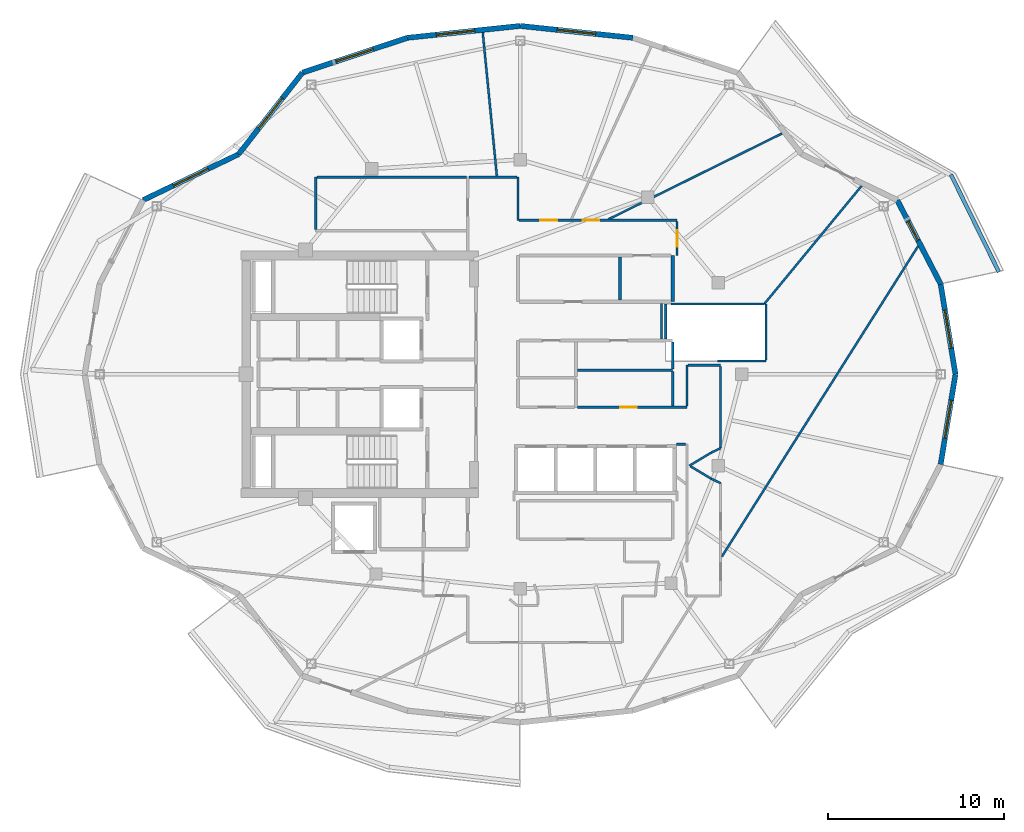
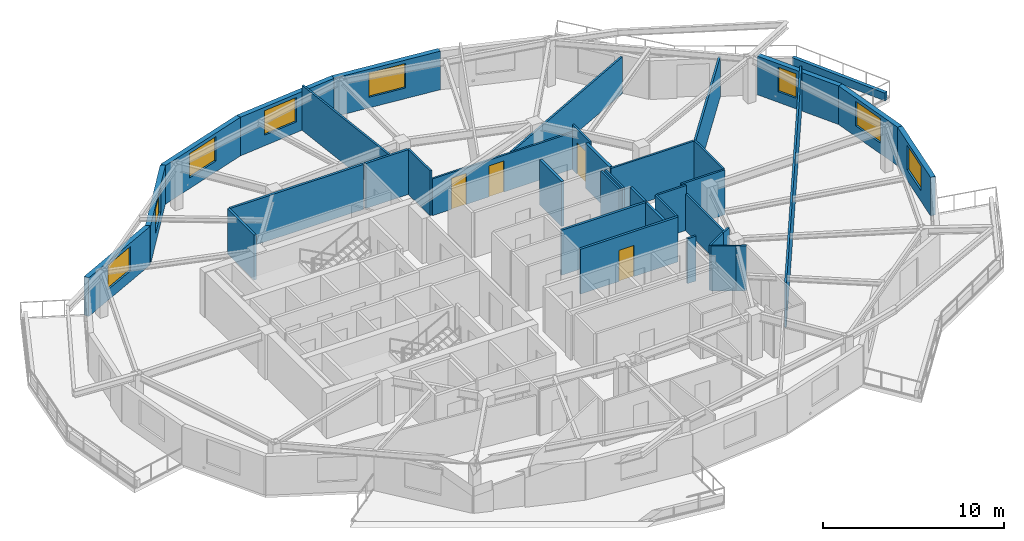
# One storey, part 6 of 10: 38 walls, 8 windows, 4 doors, 12 openings.
"""IFC4 building model written with IfcOpenShell, lengths in metres."""

from ifc_helpers import new_model, si_unit, direction, frame, frame_2d, origin, place, context, subcontext, project, spatial, rectangle, extrude, material, layer, layer_set, type_object, element, fill, save


model = new_model("IFC4")

# Units and contexts
model_context = context("Model", 3, precision=1e-05, world=origin(), true_north=direction((0.0, 1.0)))
body_context = subcontext(model_context, "Body", "Model", "MODEL_VIEW")
ifc_project = project(units=[si_unit("LENGTHUNIT", "METRE"), si_unit("AREAUNIT", "SQUARE_METRE"), si_unit("VOLUMEUNIT", "CUBIC_METRE"), si_unit("PLANEANGLEUNIT", "RADIAN"), si_unit("MASSUNIT", "GRAM", prefix="KILO")], contexts=[model_context])

# Site, building, storey
site_placement = place(None, origin())
site = spatial("IfcSite", under=ifc_project, at=site_placement, CompositionType="ELEMENT")
building_placement = place(site_placement, origin())
building = spatial("IfcBuilding", under=site, at=building_placement, Name="Kolvaren Gate Tower and Convention Centre", CompositionType="ELEMENT")
storey_placement = place(building_placement, frame((0.0, 0.0, 203.0)))
storey = spatial("IfcBuildingStorey", under=building, at=storey_placement, Name="L53", CompositionType="ELEMENT", Elevation=203.0)

# Walls
ifc_material_1 = material(Name="Autoclaved Aerated Masonry Blockwork Class 4 (4.0 MPa)", Category="masonry")
ifc_layer_1 = layer(ifc_material_1, 0.179931640625)
ifc_layer_set_1 = layer_set([ifc_layer_1], Name="Autoclaved Aerated Masonry Blockwork Class 4 (4.0 MPa)")
wall_type_1 = type_object("IfcWallType", Name="ARCH-WL-COMP-180", PredefinedType="SOLIDWALL", material=ifc_layer_set_1)
wall_1_placement = place(storey_placement, frame((38.800048828125, 31.1201171875, 0.0), z_axis=(0.0, 0.0, 1.0), x_axis=(0.0, 1.0, 0.0)))
element("IfcWall", 1, at=wall_1_placement, inside=storey, type_object=wall_type_1, Name="Interior Partition WL-L53-INT-028", PredefinedType="SOLIDWALL", context=body_context, shape_type="SweptSolid", body=[
    extrude(rectangle(XDim=2.6298828125, YDim=0.179931640625, at=frame_2d((1.31494140625, 0.0))), origin(), (0.0, 0.0, 1.0), 3.030029296875),
])
wall_2_placement = place(storey_placement, frame((35.800048828125, 31.2119140625, 0.0), z_axis=(0.0, 0.0, 1.0), x_axis=(0.0, 1.0, 0.0)))
element("IfcWall", 2, at=wall_2_placement, inside=storey, type_object=wall_type_1, Name="Interior Partition WL-L53-INT-031", PredefinedType="SOLIDWALL", context=body_context, shape_type="SweptSolid", body=[
    extrude(rectangle(XDim=2.446044921875, YDim=0.179931640625, at=frame_2d((1.22314453125, 0.0))), origin(), (0.0, 0.0, 1.0), 3.030029296875),
])
ifc_material_2 = material(Name="Fire-Rated Acoustic Gypsum Stud Partition", Category="gypsum")
ifc_layer_2 = layer(ifc_material_2, 0.1201171875)
ifc_layer_set_2 = layer_set([ifc_layer_2], Name="Fire-Rated Acoustic Gypsum Stud Partition")
wall_type_2 = type_object("IfcWallType", Name="ARCH-WL-PART-120", PredefinedType="PARTITIONING", material=ifc_layer_set_2)
wall_3_placement = place(storey_placement, frame((30.0, 35.75, 0.0), z_axis=(0.0, 0.0, 1.0), x_axis=(0.0, 1.0, 0.0)))
element("IfcWall", 3, at=wall_3_placement, inside=storey, type_object=wall_type_2, Name="Interior Partition WL-L53-INT-021", PredefinedType="PARTITIONING", context=body_context, shape_type="SweptSolid", body=[
    extrude(rectangle(XDim=2.449951171875, YDim=0.1201171875, at=frame_2d((1.22509765625, 0.0))), origin(), (0.0, 0.0, 1.0), 3.030029296875),
])

# Wall, openings, doors
wall_4_placement = place(storey_placement, frame((30.06201171875, 35.75, 0.0), z_axis=(0.0, 0.0, 1.0), x_axis=(1.0, 0.0, 0.0)))
wall_4 = element("IfcWall", 4, at=wall_4_placement, inside=storey, type_object=wall_type_2, Name="Interior Partition WL-L53-INT-037", PredefinedType="PARTITIONING", context=body_context, shape_type="SweptSolid", body=[
    extrude(rectangle(XDim=8.988037109375, YDim=0.1201171875, at=frame_2d((4.494140625, 0.0))), origin(), (0.0, 0.0, 1.0), 2.47802734375),
])
opening_1_placement = place(wall_4_placement, frame((3.6220703125, 0.0, 0.0)))
opening_1 = element("IfcOpeningElement", 5, at=opening_1_placement, cuts=wall_4, Name="Opening DR-01", PredefinedType="OPENING", context=body_context, shape_type="SweptSolid", body=[
    extrude(rectangle(XDim=0.949951171875, YDim=2.10009765625, at=frame_2d((0.47509765625, 1.050048828125))), frame((0.0, 0.070068359375, 0.0), z_axis=(0.0, -1.0, 0.0), x_axis=(1.0, 0.0, 0.0)), (0.0, 0.0, 1.0), 0.14013671875),
])
opening_2_placement = place(wall_4_placement, frame((1.2158203125, 0.0, 0.0)))
opening_2 = element("IfcOpeningElement", 6, at=opening_2_placement, cuts=wall_4, Name="Opening DR-01", PredefinedType="OPENING", context=body_context, shape_type="SweptSolid", body=[
    extrude(rectangle(XDim=0.949951171875, YDim=2.10009765625, at=frame_2d((0.47509765625, 1.050048828125))), frame((0.0, 0.070068359375, 0.0), z_axis=(0.0, -1.0, 0.0), x_axis=(1.0, 0.0, 0.0)), (0.0, 0.0, 1.0), 0.14013671875),
])
ifc_material_3 = material(Name="Painted Architectural Steelwork ASTM A500 Grade C 345 MPa", Category="steel")
door_type = type_object("IfcDoorType", Name="ARCH-DR-RISER-950", OperationType="SINGLE_SWING_RIGHT", PredefinedType="DOOR", material=ifc_material_3)
door_1_placement = place(opening_1_placement, origin())
door_1 = element("IfcDoor", 7, at=door_1_placement, inside=storey, type_object=door_type, Name="Resident Private Study Door", OperationType="SINGLE_SWING_RIGHT", OverallHeight=2.10009765625, OverallWidth=0.949951171875, PredefinedType="DOOR", context=body_context, shape_type="SweptSolid", body=[
    extrude(rectangle(XDim=0.949951171875, YDim=2.10009765625, at=frame_2d((0.47509765625, 1.050048828125))), frame((0.0, 0.02490234375, 0.0), z_axis=(0.0, -1.0, 0.0), x_axis=(1.0, 0.0, 0.0)), (0.0, 0.0, 1.0), 0.050048828125),
])
fill(opening_1, door_1)
door_2_placement = place(opening_2_placement, origin())
door_2 = element("IfcDoor", 8, at=door_2_placement, inside=storey, type_object=door_type, Name="Resident Quiet Study Office Door", OperationType="SINGLE_SWING_LEFT", OverallHeight=2.10009765625, OverallWidth=0.949951171875, PredefinedType="DOOR", context=body_context, shape_type="SweptSolid", body=[
    extrude(rectangle(XDim=0.949951171875, YDim=2.10009765625, at=frame_2d((0.47509765625, 1.050048828125))), frame((0.0, 0.02490234375, 0.0), z_axis=(0.0, -1.0, 0.0), x_axis=(1.0, 0.0, 0.0)), (0.0, 0.0, 1.0), 0.050048828125),
])
fill(opening_2, door_2)

# Wall, opening, door
wall_5_placement = place(storey_placement, frame((39.050048828125, 33.75, 0.0), z_axis=(0.0, 0.0, 1.0), x_axis=(0.0, 1.0, 0.0)))
wall_5 = element("IfcWall", 9, at=wall_5_placement, inside=storey, type_object=wall_type_2, Name="Interior Partition WL-L53-INT-039", PredefinedType="PARTITIONING", context=body_context, shape_type="SweptSolid", body=[
    extrude(rectangle(XDim=1.93798828125, YDim=0.1201171875, at=frame_2d((0.968994140625, 0.0))), origin(), (0.0, 0.0, 1.0), 3.030029296875),
])
opening_3_placement = place(wall_5_placement, frame((0.493896484375, 0.0, 0.0)))
opening_3 = element("IfcOpeningElement", 10, at=opening_3_placement, cuts=wall_5, Name="Opening DR-01", PredefinedType="OPENING", context=body_context, shape_type="SweptSolid", body=[
    extrude(rectangle(XDim=0.949951171875, YDim=2.10009765625, at=frame_2d((0.47509765625, 1.050048828125))), frame((0.0, 0.070068359375, 0.0), z_axis=(0.0, -1.0, 0.0), x_axis=(1.0, 0.0, 0.0)), (0.0, 0.0, 1.0), 0.14013671875),
])
door_3_placement = place(opening_3_placement, origin())
door_3 = element("IfcDoor", 11, at=door_3_placement, inside=storey, type_object=door_type, Name="Resident Quiet Study Office Door", OperationType="SINGLE_SWING_LEFT", OverallHeight=2.10009765625, OverallWidth=0.949951171875, PredefinedType="DOOR", context=body_context, shape_type="SweptSolid", body=[
    extrude(rectangle(XDim=0.949951171875, YDim=2.10009765625, at=frame_2d((0.47509765625, 1.050048828125))), frame((0.0, 0.02490234375, 0.0), z_axis=(0.0, -1.0, 0.0), x_axis=(1.0, 0.0, 0.0)), (0.0, 0.0, 1.0), 0.050048828125),
])
fill(opening_3, door_3)

# Walls
wall_6_placement = place(storey_placement, frame((38.159912109375, 28.9970703125, 0.0), z_axis=(0.0, 0.0, 1.0), x_axis=(0.0, 1.0, 0.0)))
element("IfcWall", 12, at=wall_6_placement, inside=storey, type_object=wall_type_2, Name="Interior Partition WL-L53-INT-040", PredefinedType="PARTITIONING", context=body_context, shape_type="SweptSolid", body=[
    extrude(rectangle(XDim=2.031005859375, YDim=0.1201171875, at=frame_2d((1.015625, 0.0))), origin(), (0.0, 0.0, 1.0), 3.030029296875),
])
wall_7_placement = place(storey_placement, frame((39.60009765625, 25.197021484375, 0.0), z_axis=(0.0, 0.0, 1.0), x_axis=(0.0, 1.0, 0.0)))
element("IfcWall", 13, at=wall_7_placement, inside=storey, type_object=wall_type_2, Name="Interior Partition WL-L53-INT-042", PredefinedType="PARTITIONING", context=body_context, shape_type="SweptSolid", body=[
    extrude(rectangle(XDim=2.31298828125, YDim=0.1201171875, at=frame_2d((1.156494140625, 0.0))), origin(), (0.0, 0.0, 1.0), 3.030029296875),
])
wall_8_placement = place(storey_placement, frame((39.662109375, 27.510009765625, 0.0), z_axis=(0.0, 0.0, 1.0), x_axis=(1.0, 0.0, 0.0)))
element("IfcWall", 14, at=wall_8_placement, inside=storey, type_object=wall_type_2, Name="Interior Partition WL-L53-INT-043", PredefinedType="PARTITIONING", context=body_context, shape_type="SweptSolid", body=[
    extrude(rectangle(XDim=1.85791015625, YDim=0.1201171875, at=frame_2d((0.928955078125, 0.0))), origin(), (0.0, 0.0, 1.0), 3.030029296875),
])
wall_9_placement = place(storey_placement, frame((41.52001953125, 22.7939453125, 0.0), z_axis=(0.0, 0.0, 1.0), x_axis=(0.0, 1.0, 0.0)))
element("IfcWall", 15, at=wall_9_placement, inside=storey, type_object=wall_type_2, Name="Interior Partition WL-L53-INT-045", PredefinedType="PARTITIONING", context=body_context, shape_type="SweptSolid", body=[
    extrude(rectangle(XDim=4.654052734375, YDim=0.1201171875, at=frame_2d((2.3271484375, 0.0))), origin(), (0.0, 0.0, 1.0), 2.47802734375),
])
wall_10_placement = place(storey_placement, frame((40.986083984375, 22.541015625, 0.0), z_axis=(0.0, 0.0, 1.0), x_axis=(0.903729424576, 0.428104107847, 0.0)))
element("IfcWall", 16, at=wall_10_placement, inside=storey, type_object=wall_type_2, Name="Interior Partition WL-L53-INT-046", PredefinedType="PARTITIONING", context=body_context, shape_type="SweptSolid", body=[
    extrude(rectangle(XDim=0.5908203125, YDim=0.1201171875, at=frame_2d((0.29541015625, 0.0))), origin(), (0.0, 0.0, 1.0), 3.030029296875),
])
wall_11_placement = place(storey_placement, frame((39.75, 21.800048828125, 0.0), z_axis=(0.0, 0.0, 1.0), x_axis=(0.857702120906, 0.514146935996, 0.0)))
element("IfcWall", 17, at=wall_11_placement, inside=storey, type_object=wall_type_2, Name="Interior Partition WL-L53-INT-047", PredefinedType="PARTITIONING", context=body_context, shape_type="SweptSolid", body=[
    extrude(rectangle(XDim=1.441162109375, YDim=0.1201171875, at=frame_2d((0.720703125, 0.0))), origin(), (0.0, 0.0, 1.0), 3.030029296875),
])
wall_12_placement = place(storey_placement, frame((39.810302734375, 21.763916015625, 0.0), z_axis=(0.0, 0.0, 1.0), x_axis=(0.858011245414, -0.513630901273, 0.0)))
element("IfcWall", 18, at=wall_12_placement, inside=storey, type_object=wall_type_2, Name="Interior Partition WL-L53-INT-048", PredefinedType="PARTITIONING", context=body_context, shape_type="SweptSolid", body=[
    extrude(rectangle(XDim=1.370361328125, YDim=0.1201171875, at=frame_2d((0.68505859375, 0.0))), origin(), (0.0, 0.0, 1.0), 3.030029296875),
])
wall_13_placement = place(storey_placement, frame((40.986083984375, 21.06005859375, 0.0), z_axis=(0.0, 0.0, 1.0), x_axis=(0.90356951601, -0.428441512621, 0.0)))
element("IfcWall", 19, at=wall_13_placement, inside=storey, type_object=wall_type_2, Name="Interior Partition WL-L53-INT-049", PredefinedType="PARTITIONING", context=body_context, shape_type="SweptSolid", body=[
    extrude(rectangle(XDim=0.5908203125, YDim=0.1201171875, at=frame_2d((0.29541015625, 0.0))), origin(), (0.0, 0.0, 1.0), 3.030029296875),
])
wall_14_placement = place(storey_placement, frame((39.0, 23.02001953125, 0.0), z_axis=(0.0, 0.0, 1.0), x_axis=(1.0, 0.0, 0.0)))
element("IfcWall", 20, at=wall_14_placement, inside=storey, type_object=wall_type_2, Name="Interior Partition WL-L53-INT-055", PredefinedType="PARTITIONING", context=body_context, shape_type="SweptSolid", body=[
    extrude(rectangle(XDim=0.5380859375, YDim=0.1201171875, at=frame_2d((0.26904296875, 0.0))), origin(), (0.0, 0.0, 1.0), 3.030029296875),
])
wall_15_placement = place(storey_placement, frame((28.000244140625, 46.42333984375, 0.0), z_axis=(0.0, 0.0, 1.0), x_axis=(0.097888269922, -0.995197410875, 0.0)))
element("IfcWall", 21, at=wall_15_placement, inside=storey, type_object=wall_type_2, Name="Interior Partition WL-L53-INT-070", PredefinedType="PARTITIONING", context=body_context, shape_type="SweptSolid", body=[
    extrude(rectangle(XDim=8.185546875, YDim=0.1201171875, at=frame_2d((4.0927734375, 0.0))), origin(), (0.0, 0.0, 1.0), 3.030029296875),
])
wall_16_placement = place(storey_placement, frame((41.58203125, 16.617431640625, 0.0), z_axis=(0.0, 0.0, 1.0), x_axis=(0.534374121444, 0.845248069108, 0.0)))
element("IfcWall", 22, at=wall_16_placement, inside=storey, type_object=wall_type_2, Name="Interior Partition WL-L53-INT-074", PredefinedType="PARTITIONING", context=body_context, shape_type="SweptSolid", body=[
    extrude(rectangle(XDim=20.892333984375, YDim=0.1201171875, at=frame_2d((10.4462890625, 0.0))), origin(), (0.0, 0.0, 1.0), 3.030029296875),
])
wall_17_placement = place(storey_placement, frame((41.3310546875, 27.75, 0.0), z_axis=(0.0, 0.0, 1.0), x_axis=(1.0, 0.0, 0.0)))
element("IfcWall", 23, at=wall_17_placement, inside=storey, type_object=wall_type_2, Name="Interior Partition WL-L53-INT-075", PredefinedType="PARTITIONING", context=body_context, shape_type="SweptSolid", body=[
    extrude(rectangle(XDim=2.76904296875, YDim=0.1201171875, at=frame_2d((1.384521484375, 0.0))), origin(), (0.0, 0.0, 1.0), 3.030029296875),
])
wall_18_placement = place(storey_placement, frame((44.10009765625, 27.81201171875, 0.0), z_axis=(0.0, 0.0, 1.0), x_axis=(0.0, 1.0, 0.0)))
element("IfcWall", 24, at=wall_18_placement, inside=storey, type_object=wall_type_2, Name="Interior Partition WL-L53-INT-076", PredefinedType="PARTITIONING", context=body_context, shape_type="SweptSolid", body=[
    extrude(rectangle(XDim=3.18798828125, YDim=0.1201171875, at=frame_2d((1.593994140625, 0.0))), origin(), (0.0, 0.0, 1.0), 3.030029296875),
])
wall_19_placement = place(storey_placement, frame((44.010009765625, 31.0, 0.0), z_axis=(0.0, 0.0, 1.0), x_axis=(0.635986973411, 0.771699792439, 0.0)))
element("IfcWall", 25, at=wall_19_placement, inside=storey, type_object=wall_type_2, Name="Interior Partition WL-L53-INT-077", PredefinedType="PARTITIONING", context=body_context, shape_type="SweptSolid", body=[
    extrude(rectangle(XDim=8.68701171875, YDim=0.1201171875, at=frame_2d((4.343505859375, 0.0))), origin(), (0.0, 0.0, 1.0), 2.7119140625),
])
wall_20_placement = place(storey_placement, frame((38.7080078125, 31.0, 0.0), z_axis=(0.0, 0.0, 1.0), x_axis=(1.0, 0.0, 0.0)))
element("IfcWall", 26, at=wall_20_placement, inside=storey, type_object=wall_type_2, Name="Interior Partition WL-L53-INT-078", PredefinedType="PARTITIONING", context=body_context, shape_type="SweptSolid", body=[
    extrude(rectangle(XDim=5.302001953125, YDim=0.1201171875, at=frame_2d((2.65087890625, 0.0))), origin(), (0.0, 0.0, 1.0), 3.030029296875),
])
wall_21_placement = place(storey_placement, frame((38.39990234375, 28.9970703125, 0.0), z_axis=(0.0, 0.0, 1.0), x_axis=(0.0, 1.0, 0.0)))
element("IfcWall", 27, at=wall_21_placement, inside=storey, type_object=wall_type_2, Name="Interior Partition WL-L53-INT-079", PredefinedType="PARTITIONING", context=body_context, shape_type="SweptSolid", body=[
    extrude(rectangle(XDim=2.0029296875, YDim=0.1201171875, at=frame_2d((1.00146484375, 0.0))), origin(), (0.0, 0.0, 1.0), 3.030029296875),
])
wall_22_placement = place(storey_placement, frame((35.157470703125, 35.81201171875, 0.0), z_axis=(0.0, 0.0, 1.0), x_axis=(0.896376577458, 0.443293391992, 0.0)))
element("IfcWall", 28, at=wall_22_placement, inside=storey, type_object=wall_type_2, Name="Interior Partition WL-L53-INT-080", PredefinedType="PARTITIONING", context=body_context, shape_type="SweptSolid", body=[
    extrude(rectangle(XDim=10.997802734375, YDim=0.1201171875, at=frame_2d((5.4990234375, 0.0))), origin(), (0.0, 0.0, 1.0), 2.47802734375),
])
ifc_material_4 = material(Name="Piedmont Cream Honed Limestone Cladding", Category="masonry")
ifc_layer_3 = layer(ifc_material_4, 0.219970703125)
ifc_layer_set_3 = layer_set([ifc_layer_3], Name="Piedmont Cream Honed Limestone Cladding")
wall_type_3 = type_object("IfcWallType", Name="ARCH-WL-PLANTER-220", PredefinedType="PARAPET", material=ifc_layer_set_3)
wall_23_placement = place(storey_placement, frame((54.615966796875, 38.3466796875, 0.0), z_axis=(0.0, 0.0, 1.0), x_axis=(0.441640961804, -0.897191875162, 0.0)))
element("IfcWall", 29, at=wall_23_placement, inside=storey, type_object=wall_type_3, Name="Vertical-Forest Balcony Stone Planter Kerb PK-L53-1.1", PredefinedType="PARAPET", context=body_context, shape_type="SweptSolid", body=[
    extrude(rectangle(XDim=6.17822265625, YDim=0.219970703125, at=frame_2d((3.089111328125, 0.0))), origin(), (0.0, 0.0, 1.0), 0.52001953125),
])

# Wall, opening, window
ifc_layer_4 = layer(ifc_material_4, 0.300048828125)
ifc_layer_set_4 = layer_set([ifc_layer_4], Name="Piedmont Cream Honed Limestone Cladding")
wall_type_4 = type_object("IfcWallType", Name="ARCH-WL-STONE-300", PredefinedType="SOLIDWALL", material=ifc_layer_set_4)
wall_24_placement = place(storey_placement, frame((54.03173828125, 32.12451171875, 0.0), z_axis=(0.0, 0.0, 1.0), x_axis=(0.16237087798, -0.986729799886, 0.0)))
wall_24 = element("IfcWall", 30, at=wall_24_placement, inside=storey, type_object=wall_type_4, Name="Tower L53 Honed Stone Spandrel Wall EW-00", PredefinedType="SOLIDWALL", context=body_context, shape_type="SweptSolid", body=[
    extrude(rectangle(XDim=5.193359375, YDim=0.300048828125, at=frame_2d((2.5966796875, 0.0))), origin(), (0.0, 0.0, 1.0), 2.60498046875),
])
opening_4_placement = place(wall_24_placement, frame((1.4970703125, 0.0, 0.719970703125)))
opening_4 = element("IfcOpeningElement", 31, at=opening_4_placement, cuts=wall_24, Name="Opening W-03", PredefinedType="OPENING", context=body_context, shape_type="SweptSolid", body=[
    extrude(rectangle(XDim=2.199951171875, YDim=1.64990234375, at=frame_2d((1.10009765625, 0.824951171875))), frame((0.0, 0.159912109375, 0.0), z_axis=(0.0, -1.0, 0.0), x_axis=(1.0, 0.0, 0.0)), (0.0, 0.0, 1.0), 0.320068359375),
])
ifc_material_5 = material(Name="Low-E Triple Insulated Glazing Unit 44 mm", Category="glass")
window_type_1 = type_object("IfcWindowType", Name="ARCH-WN-RES-2200", PartitioningType="SINGLE_PANEL", PredefinedType="WINDOW", material=ifc_material_5)
window_1_placement = place(opening_4_placement, origin())
window_1 = element("IfcWindow", 32, at=window_1_placement, inside=storey, type_object=window_type_1, Name="Tower L53 Punched Stone Facade Window W-00", OverallHeight=1.64990234375, OverallWidth=2.199951171875, PartitioningType="SINGLE_PANEL", PredefinedType="WINDOW", context=body_context, shape_type="SweptSolid", body=[
    extrude(rectangle(XDim=2.199951171875, YDim=1.64990234375, at=frame_2d((1.10009765625, 0.824951171875))), frame((0.0, 0.030029296875, 0.0), z_axis=(0.0, -1.0, 0.0), x_axis=(1.0, 0.0, 0.0)), (0.0, 0.0, 1.0), 0.06005859375),
])
fill(opening_4, window_1)

wall_25_placement = place(storey_placement, frame((51.55908203125, 36.89990234375, 0.0), z_axis=(0.0, 0.0, 1.0), x_axis=(0.459808219482, -0.888018243786, 0.0)))
wall_25 = element("IfcWall", 33, at=wall_25_placement, inside=storey, type_object=wall_type_4, Name="Tower L53 Honed Stone Spandrel Wall EW-01", PredefinedType="SOLIDWALL", context=body_context, shape_type="SweptSolid", body=[
    extrude(rectangle(XDim=5.377685546875, YDim=0.300048828125, at=frame_2d((2.68896484375, 0.0))), origin(), (0.0, 0.0, 1.0), 2.60498046875),
])
opening_5_placement = place(wall_25_placement, frame((1.3798828125, 0.0, 0.719970703125)))
opening_5 = element("IfcOpeningElement", 34, at=opening_5_placement, cuts=wall_25, Name="Opening W-04", PredefinedType="OPENING", context=body_context, shape_type="SweptSolid", body=[
    extrude(rectangle(XDim=1.199951171875, YDim=1.64990234375, at=frame_2d((0.60009765625, 0.824951171875))), frame((0.0, 0.159912109375, 0.0), z_axis=(0.0, -1.0, 0.0), x_axis=(1.0, 0.0, 0.0)), (0.0, 0.0, 1.0), 0.320068359375),
])
window_type_2 = type_object("IfcWindowType", Name="ARCH-WN-NARROW-1200", PartitioningType="SINGLE_PANEL", PredefinedType="WINDOW", material=ifc_material_5)
window_2_placement = place(opening_5_placement, origin())
window_2 = element("IfcWindow", 35, at=window_2_placement, inside=storey, type_object=window_type_2, Name="Tower L53 Punched Stone Facade Window W-01", OverallHeight=1.64990234375, OverallWidth=1.199951171875, PartitioningType="SINGLE_PANEL", PredefinedType="WINDOW", context=body_context, shape_type="SweptSolid", body=[
    extrude(rectangle(XDim=1.199951171875, YDim=1.64990234375, at=frame_2d((0.60009765625, 0.824951171875))), frame((0.0, 0.030029296875, 0.0), z_axis=(0.0, -1.0, 0.0), x_axis=(1.0, 0.0, 0.0)), (0.0, 0.0, 1.0), 0.06005859375),
])
fill(opening_5, window_2)

wall_26_placement = place(storey_placement, frame((30.125, 46.800048828125, 0.0), z_axis=(0.0, 0.0, 1.0), x_axis=(0.994497142298, -0.104763705363, 0.0)))
wall_26 = element("IfcWall", 36, at=wall_26_placement, inside=storey, type_object=wall_type_4, Name="Tower L53 Honed Stone Spandrel Wall EW-05", PredefinedType="SOLIDWALL", context=body_context, shape_type="SweptSolid", body=[
    extrude(rectangle(XDim=6.441162109375, YDim=0.300048828125, at=frame_2d((3.220703125, 0.0))), origin(), (0.0, 0.0, 1.0), 2.60498046875),
])
opening_6_placement = place(wall_26_placement, frame((2.12109375, 0.0, 0.719970703125)))
opening_6 = element("IfcOpeningElement", 37, at=opening_6_placement, cuts=wall_26, Name="Opening W-03", PredefinedType="OPENING", context=body_context, shape_type="SweptSolid", body=[
    extrude(rectangle(XDim=2.199951171875, YDim=1.64990234375, at=frame_2d((1.10009765625, 0.824951171875))), frame((0.0, 0.159912109375, 0.0), z_axis=(0.0, -1.0, 0.0), x_axis=(1.0, 0.0, 0.0)), (0.0, 0.0, 1.0), 0.320068359375),
])
window_3_placement = place(opening_6_placement, origin())
window_3 = element("IfcWindow", 38, at=window_3_placement, inside=storey, type_object=window_type_1, Name="Tower L53 Punched Stone Facade Window W-05", OverallHeight=1.64990234375, OverallWidth=2.199951171875, PartitioningType="SINGLE_PANEL", PredefinedType="WINDOW", context=body_context, shape_type="SweptSolid", body=[
    extrude(rectangle(XDim=2.199951171875, YDim=1.64990234375, at=frame_2d((1.10009765625, 0.824951171875))), frame((0.0, 0.030029296875, 0.0), z_axis=(0.0, -1.0, 0.0), x_axis=(1.0, 0.0, 0.0)), (0.0, 0.0, 1.0), 0.06005859375),
])
fill(opening_6, window_3)

wall_27_placement = place(storey_placement, frame((23.71923828125, 46.125244140625, 0.0), z_axis=(0.0, 0.0, 1.0), x_axis=(0.994497142298, 0.104763705363, 0.0)))
wall_27 = element("IfcWall", 39, at=wall_27_placement, inside=storey, type_object=wall_type_4, Name="Tower L53 Honed Stone Spandrel Wall EW-06", PredefinedType="SOLIDWALL", context=body_context, shape_type="SweptSolid", body=[
    extrude(rectangle(XDim=6.441162109375, YDim=0.300048828125, at=frame_2d((3.220703125, 0.0))), origin(), (0.0, 0.0, 1.0), 2.60498046875),
])
opening_7_placement = place(wall_27_placement, frame((1.64990234375, 0.0, 0.719970703125)))
opening_7 = element("IfcOpeningElement", 40, at=opening_7_placement, cuts=wall_27, Name="Opening W-03", PredefinedType="OPENING", context=body_context, shape_type="SweptSolid", body=[
    extrude(rectangle(XDim=2.199951171875, YDim=1.64990234375, at=frame_2d((1.10009765625, 0.824951171875))), frame((0.0, 0.159912109375, 0.0), z_axis=(0.0, -1.0, 0.0), x_axis=(1.0, 0.0, 0.0)), (0.0, 0.0, 1.0), 0.320068359375),
])
window_4_placement = place(opening_7_placement, origin())
window_4 = element("IfcWindow", 41, at=window_4_placement, inside=storey, type_object=window_type_1, Name="Tower L53 Punched Stone Facade Window W-06", OverallHeight=1.64990234375, OverallWidth=2.199951171875, PartitioningType="SINGLE_PANEL", PredefinedType="WINDOW", context=body_context, shape_type="SweptSolid", body=[
    extrude(rectangle(XDim=2.199951171875, YDim=1.64990234375, at=frame_2d((1.10009765625, 0.824951171875))), frame((0.0, 0.030029296875, 0.0), z_axis=(0.0, -1.0, 0.0), x_axis=(1.0, 0.0, 0.0)), (0.0, 0.0, 1.0), 0.06005859375),
])
fill(opening_7, window_4)

wall_28_placement = place(storey_placement, frame((17.75, 44.147216796875, 0.0), z_axis=(0.0, 0.0, 1.0), x_axis=(0.949240877604, 0.314550085495, 0.0)))
wall_28 = element("IfcWall", 42, at=wall_28_placement, inside=storey, type_object=wall_type_4, Name="Tower L53 Honed Stone Spandrel Wall EW-07", PredefinedType="SOLIDWALL", context=body_context, shape_type="SweptSolid", body=[
    extrude(rectangle(XDim=6.288330078125, YDim=0.300048828125, at=frame_2d((3.14404296875, 0.0))), origin(), (0.0, 0.0, 1.0), 2.60498046875),
])
opening_8_placement = place(wall_28_placement, frame((2.0439453125, 0.0, 0.719970703125)))
opening_8 = element("IfcOpeningElement", 43, at=opening_8_placement, cuts=wall_28, Name="Opening W-03", PredefinedType="OPENING", context=body_context, shape_type="SweptSolid", body=[
    extrude(rectangle(XDim=2.199951171875, YDim=1.64990234375, at=frame_2d((1.10009765625, 0.824951171875))), frame((0.0, 0.159912109375, 0.0), z_axis=(0.0, -1.0, 0.0), x_axis=(1.0, 0.0, 0.0)), (0.0, 0.0, 1.0), 0.320068359375),
])
window_5_placement = place(opening_8_placement, origin())
window_5 = element("IfcWindow", 44, at=window_5_placement, inside=storey, type_object=window_type_1, Name="Tower L53 Punched Stone Facade Window W-07", OverallHeight=1.64990234375, OverallWidth=2.199951171875, PartitioningType="SINGLE_PANEL", PredefinedType="WINDOW", context=body_context, shape_type="SweptSolid", body=[
    extrude(rectangle(XDim=2.199951171875, YDim=1.64990234375, at=frame_2d((1.10009765625, 0.824951171875))), frame((0.0, 0.030029296875, 0.0), z_axis=(0.0, -1.0, 0.0), x_axis=(1.0, 0.0, 0.0)), (0.0, 0.0, 1.0), 0.06005859375),
])
fill(opening_8, window_5)

wall_29_placement = place(storey_placement, frame((14.117431640625, 39.50732421875, 0.0), z_axis=(0.0, 0.0, 1.0), x_axis=(0.616450126935, 0.787393955401, 0.0)))
wall_29 = element("IfcWall", 45, at=wall_29_placement, inside=storey, type_object=wall_type_4, Name="Tower L53 Honed Stone Spandrel Wall EW-08", PredefinedType="SOLIDWALL", context=body_context, shape_type="SweptSolid", body=[
    extrude(rectangle(XDim=5.892822265625, YDim=0.300048828125, at=frame_2d((2.9462890625, 0.0))), origin(), (0.0, 0.0, 1.0), 2.60498046875),
])
opening_9_placement = place(wall_29_placement, frame((1.845947265625, 0.0, 0.719970703125)))
opening_9 = element("IfcOpeningElement", 46, at=opening_9_placement, cuts=wall_29, Name="Opening W-03", PredefinedType="OPENING", context=body_context, shape_type="SweptSolid", body=[
    extrude(rectangle(XDim=2.199951171875, YDim=1.64990234375, at=frame_2d((1.10009765625, 0.824951171875))), frame((0.0, 0.159912109375, 0.0), z_axis=(0.0, -1.0, 0.0), x_axis=(1.0, 0.0, 0.0)), (0.0, 0.0, 1.0), 0.320068359375),
])
window_6_placement = place(opening_9_placement, origin())
window_6 = element("IfcWindow", 47, at=window_6_placement, inside=storey, type_object=window_type_1, Name="Tower L53 Punched Stone Facade Window W-08", OverallHeight=1.64990234375, OverallWidth=2.199951171875, PartitioningType="SINGLE_PANEL", PredefinedType="WINDOW", context=body_context, shape_type="SweptSolid", body=[
    extrude(rectangle(XDim=2.199951171875, YDim=1.64990234375, at=frame_2d((1.10009765625, 0.824951171875))), frame((0.0, 0.030029296875, 0.0), z_axis=(0.0, -1.0, 0.0), x_axis=(1.0, 0.0, 0.0)), (0.0, 0.0, 1.0), 0.06005859375),
])
fill(opening_9, window_6)

wall_30_placement = place(storey_placement, frame((8.69091796875, 36.89990234375, 0.0), z_axis=(0.0, 0.0, 1.0), x_axis=(0.901348331142, 0.433094892545, 0.0)))
wall_30 = element("IfcWall", 48, at=wall_30_placement, inside=storey, type_object=wall_type_4, Name="Tower L53 Honed Stone Spandrel Wall EW-09", PredefinedType="SOLIDWALL", context=body_context, shape_type="SweptSolid", body=[
    extrude(rectangle(XDim=6.0205078125, YDim=0.300048828125, at=frame_2d((3.01025390625, 0.0))), origin(), (0.0, 0.0, 1.0), 2.60498046875),
])
opening_10_placement = place(wall_30_placement, frame((1.909912109375, 0.0, 0.719970703125)))
opening_10 = element("IfcOpeningElement", 49, at=opening_10_placement, cuts=wall_30, Name="Opening W-03", PredefinedType="OPENING", context=body_context, shape_type="SweptSolid", body=[
    extrude(rectangle(XDim=2.199951171875, YDim=1.64990234375, at=frame_2d((1.10009765625, 0.824951171875))), frame((0.0, 0.159912109375, 0.0), z_axis=(0.0, -1.0, 0.0), x_axis=(1.0, 0.0, 0.0)), (0.0, 0.0, 1.0), 0.320068359375),
])
window_7_placement = place(opening_10_placement, origin())
window_7 = element("IfcWindow", 50, at=window_7_placement, inside=storey, type_object=window_type_1, Name="Tower L53 Punched Stone Facade Window W-09", OverallHeight=1.64990234375, OverallWidth=2.199951171875, PartitioningType="SINGLE_PANEL", PredefinedType="WINDOW", context=body_context, shape_type="SweptSolid", body=[
    extrude(rectangle(XDim=2.199951171875, YDim=1.64990234375, at=frame_2d((1.10009765625, 0.824951171875))), frame((0.0, 0.030029296875, 0.0), z_axis=(0.0, -1.0, 0.0), x_axis=(1.0, 0.0, 0.0)), (0.0, 0.0, 1.0), 0.06005859375),
])
fill(opening_10, window_7)

wall_31_placement = place(storey_placement, frame((54.03173828125, 21.87548828125, 0.0), z_axis=(0.0, 0.0, 1.0), x_axis=(0.16237087798, 0.986729799886, 0.0)))
wall_31 = element("IfcWall", 51, at=wall_31_placement, inside=storey, type_object=wall_type_4, Name="Tower L53 Honed Stone Spandrel Wall EW-23", PredefinedType="SOLIDWALL", context=body_context, shape_type="SweptSolid", body=[
    extrude(rectangle(XDim=5.193359375, YDim=0.300048828125, at=frame_2d((2.5966796875, 0.0))), origin(), (0.0, 0.0, 1.0), 2.60498046875),
])
opening_11_placement = place(wall_31_placement, frame((1.4970703125, 0.0, 0.719970703125)))
opening_11 = element("IfcOpeningElement", 52, at=opening_11_placement, cuts=wall_31, Name="Opening W-03", PredefinedType="OPENING", context=body_context, shape_type="SweptSolid", body=[
    extrude(rectangle(XDim=2.199951171875, YDim=1.64990234375, at=frame_2d((1.10009765625, 0.824951171875))), frame((0.0, 0.159912109375, 0.0), z_axis=(0.0, -1.0, 0.0), x_axis=(1.0, 0.0, 0.0)), (0.0, 0.0, 1.0), 0.320068359375),
])
window_8_placement = place(opening_11_placement, origin())
window_8 = element("IfcWindow", 53, at=window_8_placement, inside=storey, type_object=window_type_1, Name="Tower L53 Punched Stone Facade Window W-23", OverallHeight=1.64990234375, OverallWidth=2.199951171875, PartitioningType="SINGLE_PANEL", PredefinedType="WINDOW", context=body_context, shape_type="SweptSolid", body=[
    extrude(rectangle(XDim=2.199951171875, YDim=1.64990234375, at=frame_2d((1.10009765625, 0.824951171875))), frame((0.0, 0.030029296875, 0.0), z_axis=(0.0, -1.0, 0.0), x_axis=(1.0, 0.0, 0.0)), (0.0, 0.0, 1.0), 0.06005859375),
])
fill(opening_11, window_8)

# Wall, opening, door
ifc_material_6 = material(Name="Moisture-Resistant Cement-Board Acoustic Partition", Category="gypsum")
ifc_layer_5 = layer(ifc_material_6, 0.14990234375)
ifc_layer_set_5 = layer_set([ifc_layer_5], Name="Moisture-Resistant Cement-Board Acoustic Partition")
wall_type_5 = type_object("IfcWallType", Name="ARCH-WL-WET-150", PredefinedType="PARTITIONING", material=ifc_layer_set_5)
wall_32_placement = place(storey_placement, frame((33.376953125, 25.1201171875, 0.0), z_axis=(0.0, 0.0, 1.0), x_axis=(1.0, 0.0, 0.0)))
wall_32 = element("IfcWall", 54, at=wall_32_placement, inside=storey, type_object=wall_type_5, Name="Interior Partition WL-L53-INT-024 (2)", PredefinedType="PARTITIONING", context=body_context, shape_type="SweptSolid", body=[
    extrude(rectangle(XDim=6.22314453125, YDim=0.14990234375, at=frame_2d((3.111572265625, 0.0))), origin(), (0.0, 0.0, 1.0), 3.030029296875),
])
opening_12_placement = place(wall_32_placement, frame((2.44140625, 0.0, 0.0)))
opening_12 = element("IfcOpeningElement", 55, at=opening_12_placement, cuts=wall_32, Name="Opening DR-01", PredefinedType="OPENING", context=body_context, shape_type="SweptSolid", body=[
    extrude(rectangle(XDim=0.949951171875, YDim=2.10009765625, at=frame_2d((0.47509765625, 1.050048828125))), frame((0.0, 0.0849609375, 0.0), z_axis=(0.0, -1.0, 0.0), x_axis=(1.0, 0.0, 0.0)), (0.0, 0.0, 1.0), 0.169921875),
])
door_4_placement = place(opening_12_placement, origin())
door_4 = element("IfcDoor", 56, at=door_4_placement, inside=storey, type_object=door_type, Name="Floor Coffee Pantry Door", OperationType="SINGLE_SWING_LEFT", OverallHeight=2.10009765625, OverallWidth=0.949951171875, PredefinedType="DOOR", context=body_context, shape_type="SweptSolid", body=[
    extrude(rectangle(XDim=0.949951171875, YDim=2.10009765625, at=frame_2d((0.47509765625, 1.050048828125))), frame((0.0, 0.02490234375, 0.0), z_axis=(0.0, -1.0, 0.0), x_axis=(1.0, 0.0, 0.0)), (0.0, 0.0, 1.0), 0.050048828125),
])
fill(opening_12, door_4)

# Walls
wall_33_placement = place(storey_placement, frame((33.376953125, 27.219970703125, 0.0), z_axis=(0.0, 0.0, 1.0), x_axis=(1.0, 0.0, 0.0)))
element("IfcWall", 57, at=wall_33_placement, inside=storey, type_object=wall_type_5, Name="Interior Partition WL-L53-INT-025", PredefinedType="PARTITIONING", context=body_context, shape_type="SweptSolid", body=[
    extrude(rectangle(XDim=5.423095703125, YDim=0.14990234375, at=frame_2d((2.71142578125, 0.0))), origin(), (0.0, 0.0, 1.0), 3.030029296875),
])
wall_34_placement = place(storey_placement, frame((38.800048828125, 25.197021484375, 0.0), z_axis=(0.0, 0.0, 1.0), x_axis=(0.0, 1.0, 0.0)))
element("IfcWall", 58, at=wall_34_placement, inside=storey, type_object=wall_type_5, Name="Interior Partition WL-L53-INT-027", PredefinedType="PARTITIONING", context=body_context, shape_type="SweptSolid", body=[
    extrude(rectangle(XDim=1.946044921875, YDim=0.14990234375, at=frame_2d((0.97314453125, 0.0))), origin(), (0.0, 0.0, 1.0), 3.030029296875),
])
wall_35_placement = place(storey_placement, frame((38.800048828125, 27.297119140625, 0.0), z_axis=(0.0, 0.0, 1.0), x_axis=(0.0, 1.0, 0.0)))
element("IfcWall", 59, at=wall_35_placement, inside=storey, type_object=wall_type_5, Name="Interior Partition WL-L53-INT-027 (2)", PredefinedType="PARTITIONING", context=body_context, shape_type="SweptSolid", body=[
    extrude(rectangle(XDim=1.5458984375, YDim=0.14990234375, at=frame_2d((0.77294921875, 0.0))), origin(), (0.0, 0.0, 1.0), 3.030029296875),
])
wall_36_placement = place(storey_placement, frame((18.5, 35.237060546875, 0.0), z_axis=(0.0, 0.0, 1.0), x_axis=(0.0, 1.0, 0.0)))
element("IfcWall", 60, at=wall_36_placement, inside=storey, type_object=wall_type_5, Name="Interior Partition WL-L53-INT-035", PredefinedType="PARTITIONING", context=body_context, shape_type="SweptSolid", body=[
    extrude(rectangle(XDim=2.962890625, YDim=0.14990234375, at=frame_2d((1.4814453125, 0.0))), origin(), (0.0, 0.0, 1.0), 3.030029296875),
])
wall_37_placement = place(storey_placement, frame((18.576904296875, 38.199951171875, 0.0), z_axis=(0.0, 0.0, 1.0), x_axis=(1.0, 0.0, 0.0)))
element("IfcWall", 61, at=wall_37_placement, inside=storey, type_object=wall_type_5, Name="Interior Partition WL-L53-INT-036", PredefinedType="PARTITIONING", context=body_context, shape_type="SweptSolid", body=[
    extrude(rectangle(XDim=8.49609375, YDim=0.14990234375, at=frame_2d((4.248046875, 0.0))), origin(), (0.0, 0.0, 1.0), 3.030029296875),
])
wall_38_placement = place(storey_placement, frame((27.22705078125, 38.199951171875, 0.0), z_axis=(0.0, 0.0, 1.0), x_axis=(1.0, 0.0, 0.0)))
element("IfcWall", 62, at=wall_38_placement, inside=storey, type_object=wall_type_5, Name="Interior Partition WL-L53-INT-036 (2)", PredefinedType="PARTITIONING", context=body_context, shape_type="SweptSolid", body=[
    extrude(rectangle(XDim=2.7109375, YDim=0.14990234375, at=frame_2d((1.35546875, 0.0))), origin(), (0.0, 0.0, 1.0), 3.030029296875),
])

save(model, "model.ifc")
